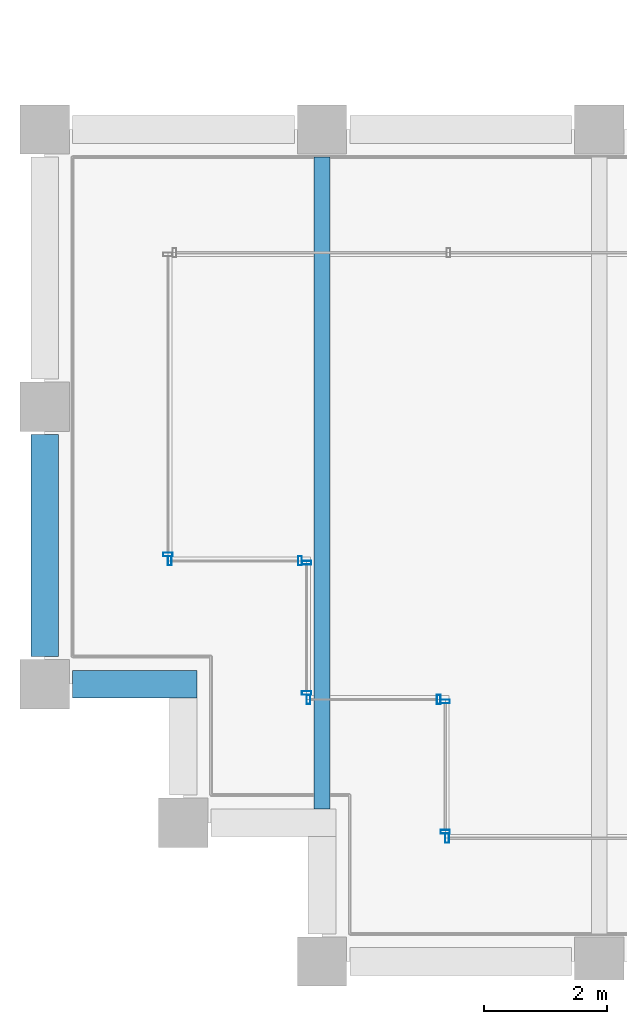
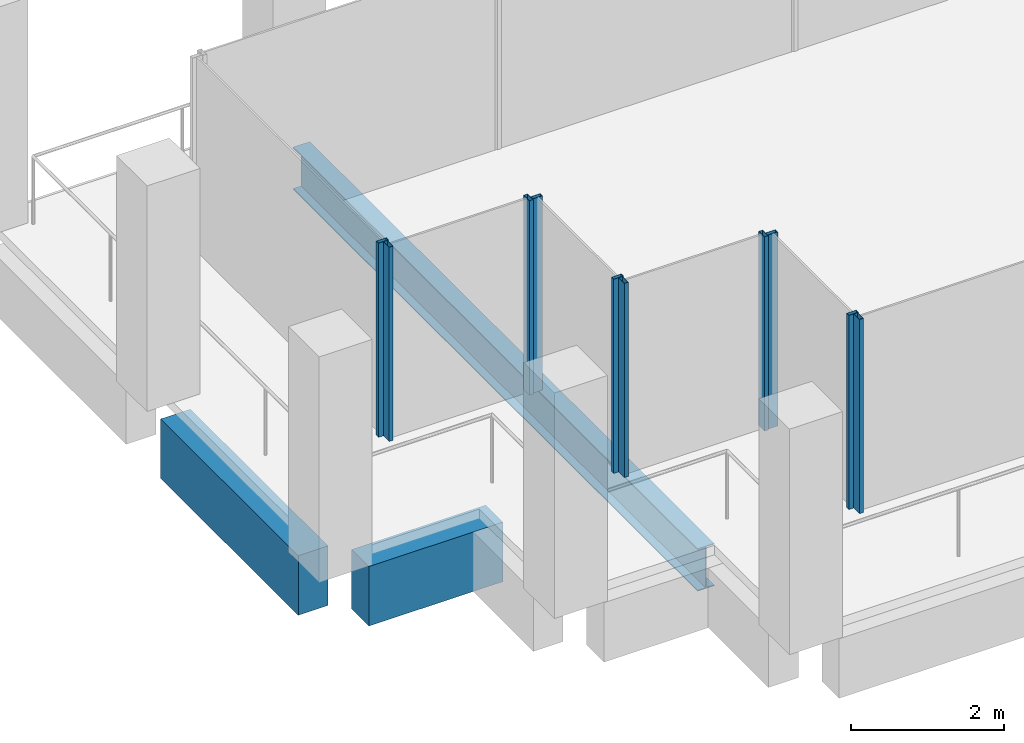
# One storey, part 2 of 40: 10 members, 3 beams, 6 elements without a shape of their own.
"""IFC4 building model written with IfcOpenShell, lengths in metres."""

from ifc_helpers import new_model, si_unit, direction, frame, origin, origin_2d, place, context, subcontext, project, spatial, rectangle, hollow_rectangle, i_section, extrude, material, material_profile, profile_set, type_object, element, aggregate, save


model = new_model("IFC4")

# Units and contexts
model_context = context("Model", 3, precision=1e-05, world=origin(), true_north=direction((0.0, 1.0)))
body_context = subcontext(model_context, "Body", "Model", "MODEL_VIEW")
ifc_project = project(units=[si_unit("LENGTHUNIT", "METRE"), si_unit("AREAUNIT", "SQUARE_METRE"), si_unit("VOLUMEUNIT", "CUBIC_METRE"), si_unit("PLANEANGLEUNIT", "RADIAN"), si_unit("MASSUNIT", "GRAM", prefix="KILO")], contexts=[model_context])

# Site, building, storey
site_placement = place(None, origin())
site = spatial("IfcSite", under=ifc_project, at=site_placement, CompositionType="ELEMENT")
building_placement = place(site_placement, origin())
building = spatial("IfcBuilding", under=site, at=building_placement, Name="Altepetl Exchange Towers", CompositionType="ELEMENT")
storey_placement = place(building_placement, frame((0.0, 0.0, 195.60009765625)))
storey = spatial("IfcBuildingStorey", under=building, at=storey_placement, Name="L49", CompositionType="ELEMENT", Elevation=195.60009765625)

# Beam
ifc_material_1 = material(Name="Steel S355", Category="steel")
ifc_material_profile_1 = material_profile(ifc_material_1, i_section(OverallWidth=0.2529296875, OverallDepth=0.677978515625, WebThickness=0.01171875, FlangeThickness=0.016357421875, at=origin_2d()), Name="W27X84")
ifc_profile_set_1 = profile_set([ifc_material_profile_1], Name="Steel S355")
beam_type_1 = type_object("IfcBeamType", Name="Floor beam W27X84", PredefinedType="BEAM", material=ifc_profile_set_1)
beam_1_placement = place(storey_placement, frame((31.5, 29.47509765625, -0.489013671875), z_axis=(0.0, 1.0, 0.0), x_axis=(-1.0, 0.0, 0.0)))
element("IfcBeam", 1, at=beam_1_placement, inside=storey, type_object=beam_type_1, Name="bm:A:L49:012", PredefinedType="BEAM", context=body_context, shape_type="SweptSolid", body=[
    extrude(i_section(OverallWidth=0.2529296875, OverallDepth=0.677978515625, WebThickness=0.01171875, FlangeThickness=0.016357421875, at=origin_2d()), origin(), (0.0, 0.0, 1.0), 10.574951171875),
])

# Curtain wall, member
ifc_material_2 = material(Name="Aluminium 6063-T6 glazing", Category="aluminium")
curtain_wall_type = type_object("IfcCurtainWallType", Name="Loggia glazing system", PredefinedType="NOTDEFINED", material=ifc_material_2)
curtain_wall_1_placement = place(storey_placement, origin())
curtain_wall_1 = element("IfcCurtainWall", 2, at=curtain_wall_1_placement, inside=storey, type_object=curtain_wall_type, Name="CW1 run", PredefinedType="NOTDEFINED")
ifc_material_3 = material(Name="Aluminium 6063-T6", Category="aluminium")
ifc_material_profile_2 = material_profile(ifc_material_3, hollow_rectangle(XDim=0.06005859375, YDim=0.14990234375, WallThickness=0.0029296875, at=origin_2d()), Name="Mullion 60x150 aluminium")
ifc_profile_set_2 = profile_set([ifc_material_profile_2], Name="Aluminium 6063-T6")
member_type = type_object("IfcMemberType", Name="Mullion 60x150 aluminium", PredefinedType="MULLION", material=ifc_profile_set_2)
member_1_placement = place(storey_placement, frame((29.0, 33.60498046875, 0.0), z_axis=(0.0, 0.0, 1.0), x_axis=(0.0, -1.0, 0.0)))
member_1 = element("IfcMember", 3, at=member_1_placement, type_object=member_type, Name="MU1 mullion", PredefinedType="MULLION", context=body_context, shape_type="SweptSolid", body=[
    extrude(hollow_rectangle(XDim=0.06005859375, YDim=0.14990234375, WallThickness=0.0029296875, at=origin_2d()), origin(), (0.0, 0.0, 1.0), 3.099853515625),
])
aggregate(curtain_wall_1, [member_1])

# Curtain wall, members
curtain_wall_2_placement = place(storey_placement, origin())
curtain_wall_2 = element("IfcCurtainWall", 4, at=curtain_wall_2_placement, inside=storey, type_object=curtain_wall_type, Name="CW1 run", PredefinedType="NOTDEFINED")
member_2_placement = place(storey_placement, frame((29.030029296875, 33.5, 0.0)))
member_2 = element("IfcMember", 5, at=member_2_placement, type_object=member_type, Name="MU1 mullion", PredefinedType="MULLION", context=body_context, shape_type="SweptSolid", body=[
    extrude(hollow_rectangle(XDim=0.06005859375, YDim=0.14990234375, WallThickness=0.0029296875, at=origin_2d()), origin(), (0.0, 0.0, 1.0), 3.099853515625),
])
member_3_placement = place(storey_placement, frame((31.14501953125, 33.5, 0.0)))
member_3 = element("IfcMember", 6, at=member_3_placement, type_object=member_type, Name="MU1 mullion", PredefinedType="MULLION", context=body_context, shape_type="SweptSolid", body=[
    extrude(hollow_rectangle(XDim=0.06005859375, YDim=0.14990234375, WallThickness=0.0029296875, at=origin_2d()), origin(), (0.0, 0.0, 1.0), 3.099853515625),
])
aggregate(curtain_wall_2, [member_2, member_3])

curtain_wall_3_placement = place(storey_placement, origin())
curtain_wall_3 = element("IfcCurtainWall", 7, at=curtain_wall_3_placement, inside=storey, type_object=curtain_wall_type, Name="CW1 run", PredefinedType="NOTDEFINED")
member_4_placement = place(storey_placement, frame((31.25, 33.469970703125, 0.0), z_axis=(0.0, 0.0, 1.0), x_axis=(0.0, -1.0, 0.0)))
member_4 = element("IfcMember", 8, at=member_4_placement, type_object=member_type, Name="MU1 mullion", PredefinedType="MULLION", context=body_context, shape_type="SweptSolid", body=[
    extrude(hollow_rectangle(XDim=0.06005859375, YDim=0.14990234375, WallThickness=0.0029296875, at=origin_2d()), origin(), (0.0, 0.0, 1.0), 3.099853515625),
])
member_5_placement = place(storey_placement, frame((31.25, 31.35498046875, 0.0), z_axis=(0.0, 0.0, 1.0), x_axis=(0.0, -1.0, 0.0)))
member_5 = element("IfcMember", 9, at=member_5_placement, type_object=member_type, Name="MU1 mullion", PredefinedType="MULLION", context=body_context, shape_type="SweptSolid", body=[
    extrude(hollow_rectangle(XDim=0.06005859375, YDim=0.14990234375, WallThickness=0.0029296875, at=origin_2d()), origin(), (0.0, 0.0, 1.0), 3.099853515625),
])
aggregate(curtain_wall_3, [member_4, member_5])

curtain_wall_4_placement = place(storey_placement, origin())
curtain_wall_4 = element("IfcCurtainWall", 10, at=curtain_wall_4_placement, inside=storey, type_object=curtain_wall_type, Name="CW1 run", PredefinedType="NOTDEFINED")
member_6_placement = place(storey_placement, frame((31.280029296875, 31.25, 0.0)))
member_6 = element("IfcMember", 11, at=member_6_placement, type_object=member_type, Name="MU1 mullion", PredefinedType="MULLION", context=body_context, shape_type="SweptSolid", body=[
    extrude(hollow_rectangle(XDim=0.06005859375, YDim=0.14990234375, WallThickness=0.0029296875, at=origin_2d()), origin(), (0.0, 0.0, 1.0), 3.099853515625),
])
member_7_placement = place(storey_placement, frame((33.39501953125, 31.25, 0.0)))
member_7 = element("IfcMember", 12, at=member_7_placement, type_object=member_type, Name="MU1 mullion", PredefinedType="MULLION", context=body_context, shape_type="SweptSolid", body=[
    extrude(hollow_rectangle(XDim=0.06005859375, YDim=0.14990234375, WallThickness=0.0029296875, at=origin_2d()), origin(), (0.0, 0.0, 1.0), 3.099853515625),
])
aggregate(curtain_wall_4, [member_6, member_7])

curtain_wall_5_placement = place(storey_placement, origin())
curtain_wall_5 = element("IfcCurtainWall", 13, at=curtain_wall_5_placement, inside=storey, type_object=curtain_wall_type, Name="CW1 run", PredefinedType="NOTDEFINED")
member_8_placement = place(storey_placement, frame((33.5, 31.219970703125, 0.0), z_axis=(0.0, 0.0, 1.0), x_axis=(0.0, -1.0, 0.0)))
member_8 = element("IfcMember", 14, at=member_8_placement, type_object=member_type, Name="MU1 mullion", PredefinedType="MULLION", context=body_context, shape_type="SweptSolid", body=[
    extrude(hollow_rectangle(XDim=0.06005859375, YDim=0.14990234375, WallThickness=0.0029296875, at=origin_2d()), origin(), (0.0, 0.0, 1.0), 3.099853515625),
])
member_9_placement = place(storey_placement, frame((33.5, 29.10498046875, 0.0), z_axis=(0.0, 0.0, 1.0), x_axis=(0.0, -1.0, 0.0)))
member_9 = element("IfcMember", 15, at=member_9_placement, type_object=member_type, Name="MU1 mullion", PredefinedType="MULLION", context=body_context, shape_type="SweptSolid", body=[
    extrude(hollow_rectangle(XDim=0.06005859375, YDim=0.14990234375, WallThickness=0.0029296875, at=origin_2d()), origin(), (0.0, 0.0, 1.0), 3.099853515625),
])
aggregate(curtain_wall_5, [member_8, member_9])

# Curtain wall, member
curtain_wall_6_placement = place(storey_placement, origin())
curtain_wall_6 = element("IfcCurtainWall", 16, at=curtain_wall_6_placement, inside=storey, type_object=curtain_wall_type, Name="CW1 run", PredefinedType="NOTDEFINED")
member_10_placement = place(storey_placement, frame((33.530029296875, 29.0, 0.0)))
member_10 = element("IfcMember", 17, at=member_10_placement, type_object=member_type, Name="MU1 mullion", PredefinedType="MULLION", context=body_context, shape_type="SweptSolid", body=[
    extrude(hollow_rectangle(XDim=0.06005859375, YDim=0.14990234375, WallThickness=0.0029296875, at=origin_2d()), origin(), (0.0, 0.0, 1.0), 3.099853515625),
])
aggregate(curtain_wall_6, [member_10])

# Beams
ifc_material_4 = material(Name="Concrete C50/60 precast with cantera blanca facing", Category="concrete")
ifc_material_profile_3 = material_profile(ifc_material_4, rectangle(XDim=0.449951171875, YDim=0.949951171875, at=origin_2d()), Name="450 x 950")
ifc_profile_set_3 = profile_set([ifc_material_profile_3], Name="Concrete C50/60 precast with cantera blanca facing")
beam_type_2 = type_object("IfcBeamType", Name="Spandrel beam 450x950 cantera blanca", PredefinedType="SPANDREL", material=ifc_profile_set_3)
beam_2_placement = place(storey_placement, frame((27.0, 35.550048828125, -0.625), z_axis=(0.0, -1.0, 0.0), x_axis=(1.0, 0.0, 0.0)))
element("IfcBeam", 18, at=beam_2_placement, inside=storey, type_object=beam_type_2, Name="sp:A:L49:037", PredefinedType="SPANDREL", context=body_context, shape_type="SweptSolid", body=[
    extrude(rectangle(XDim=0.449951171875, YDim=0.949951171875, at=origin_2d()), origin(), (0.0, 0.0, 1.0), 3.60009765625),
])
beam_3_placement = place(storey_placement, frame((27.449951171875, 31.5, -0.625), z_axis=(1.0, 0.0, 0.0), x_axis=(0.0, 1.0, 0.0)))
element("IfcBeam", 19, at=beam_3_placement, inside=storey, type_object=beam_type_2, Name="sp:A:L49:038", PredefinedType="SPANDREL", context=body_context, shape_type="SweptSolid", body=[
    extrude(rectangle(XDim=0.449951171875, YDim=0.949951171875, at=origin_2d()), origin(), (0.0, 0.0, 1.0), 2.025146484375),
])

save(model, "model.ifc")
